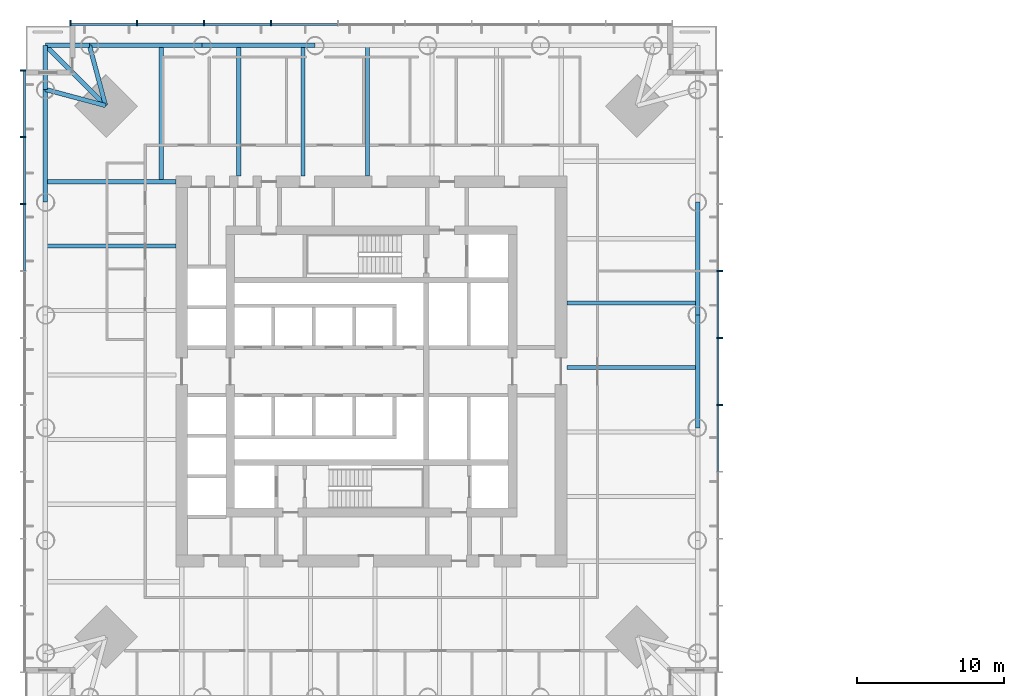
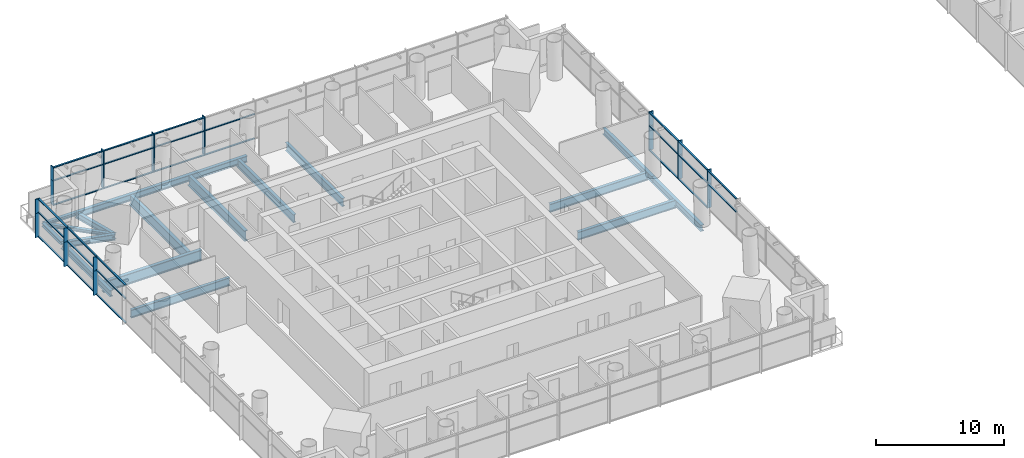
# One storey, part 4 of 24: 48 members, 18 beams, 6 elements without a shape of their own.
"""IFC4 building model written with IfcOpenShell, lengths in metres."""

from ifc_helpers import new_model, si_unit, direction, frame, origin, origin_2d, place, context, subcontext, project, spatial, rectangle, i_section, extrude, material, material_profile, profile_set, type_object, element, aggregate, save


model = new_model("IFC4")

# Units and contexts
model_context = context("Model", 3, precision=1e-05, world=origin(), true_north=direction((0.0, 1.0)))
body_context = subcontext(model_context, "Body", "Model", "MODEL_VIEW")
ifc_project = project(units=[si_unit("LENGTHUNIT", "METRE"), si_unit("AREAUNIT", "SQUARE_METRE"), si_unit("VOLUMEUNIT", "CUBIC_METRE"), si_unit("PLANEANGLEUNIT", "RADIAN"), si_unit("MASSUNIT", "GRAM", prefix="KILO")], contexts=[model_context])

# Site, building, storey
site_placement = place(None, origin())
site = spatial("IfcSite", under=ifc_project, at=site_placement, CompositionType="ELEMENT")
building_placement = place(site_placement, origin())
building = spatial("IfcBuilding", under=site, at=building_placement, Name="Ostroluk Exchange", CompositionType="ELEMENT")
storey_placement = place(building_placement, frame((0.0, 0.0, 78.0)))
storey = spatial("IfcBuildingStorey", under=building, at=storey_placement, Name="L19", CompositionType="ELEMENT", Elevation=78.0)

# Beams
ifc_material_1 = material(Name="Steel S355", Category="steel")
ifc_material_profile_1 = material_profile(ifc_material_1, i_section(OverallWidth=0.300048828125, OverallDepth=0.300048828125, WebThickness=0.010986328125, FlangeThickness=0.01904296875, FilletRadius=0.027099609375, at=origin_2d()), Name="HEB 300")
ifc_profile_set_1 = profile_set([ifc_material_profile_1], Name="Steel S355")
beam_type_1 = type_object("IfcBeamType", Name="Balcony beam HEB 300", PredefinedType="BEAM", material=ifc_profile_set_1)
for number, where, z_axis, x_axis, name in (
    (1, (25.821533203125, 68.178466796875, -0.330078125), (-1.0, 0.0, 0.0), (0.0, -1.0, 0.0), "T1 north balcony beam a"),
    (2, (22.821533203125, 65.178466796875, -0.330078125), (0.0, 1.0, 0.0), (-1.0, 0.0, 0.0), "T1 north balcony beam b"),
):
    element("IfcBeam", number, at=place(storey_placement, frame(where, z_axis=z_axis, x_axis=x_axis)), inside=storey, type_object=beam_type_1, Name=name, PredefinedType="BEAM", context=body_context, shape_type="SweptSolid", body=[
        extrude(i_section(OverallWidth=0.300048828125, OverallDepth=0.300048828125, WebThickness=0.010986328125, FlangeThickness=0.01904296875, FilletRadius=0.027099609375, at=origin_2d()), origin(), (0.0, 0.0, 1.0), 3.0),
    ])
beam_1_placement = place(storey_placement, frame((26.92138671875, 64.07861328125, -0.330078125), z_axis=(-0.707106781187, 0.707106781187, 0.0), x_axis=(-0.707106781187, -0.707106781187, 0.0)))
element("IfcBeam", 3, at=beam_1_placement, inside=storey, type_object=beam_type_1, Name="T1 north balcony beam c", PredefinedType="BEAM", context=body_context, shape_type="SweptSolid", body=[
    extrude(i_section(OverallWidth=0.300048828125, OverallDepth=0.300048828125, WebThickness=0.010986328125, FlangeThickness=0.01904296875, FilletRadius=0.027099609375, at=origin_2d()), origin(), (0.0, 0.0, 1.0), 5.798095703125),
])
ifc_material_2 = material(Name="Steel S355", Category="steel")
ifc_material_profile_2 = material_profile(ifc_material_2, i_section(OverallWidth=0.300048828125, OverallDepth=0.550048828125, WebThickness=0.014892578125, FlangeThickness=0.029052734375, FilletRadius=0.027099609375, at=origin_2d()), Name="HEB 550")
ifc_profile_set_2 = profile_set([ifc_material_profile_2], Name="Steel S355")
beam_type_2 = type_object("IfcBeamType", Name="Corner edge beam HEB 550", PredefinedType="SPANDREL", material=ifc_profile_set_2)
for number, where, z_axis, x_axis, name in (
    (4, (26.92138671875, 64.07861328125, -0.455078125), (-0.259105011038, 0.965849156574, 0.0), (-0.965849156574, -0.259105011038, 0.0), "T1 north corner edge beam a"),
    (5, (26.92138671875, 64.07861328125, -0.455078125), (-0.965849156574, 0.259105011038, 0.0), (-0.259105011038, -0.965849156574, 0.0), "T1 north corner edge beam b"),
):
    element("IfcBeam", number, at=place(storey_placement, frame(where, z_axis=z_axis, x_axis=x_axis)), inside=storey, type_object=beam_type_2, Name=name, PredefinedType="SPANDREL", context=body_context, shape_type="SweptSolid", body=[
        extrude(i_section(OverallWidth=0.300048828125, OverallDepth=0.550048828125, WebThickness=0.014892578125, FlangeThickness=0.029052734375, FilletRadius=0.027099609375, at=origin_2d()), origin(), (0.0, 0.0, 1.0), 4.244873046875),
    ])
ifc_material_3 = material(Name="Steel S355", Category="steel")
ifc_material_profile_3 = material_profile(ifc_material_3, i_section(OverallWidth=0.302001953125, OverallDepth=1.008056640625, WebThickness=0.02099609375, FlangeThickness=0.0400390625, FilletRadius=0.030029296875, at=origin_2d()), Name="HEM 1000")
ifc_profile_set_3 = profile_set([ifc_material_profile_3], Name="Steel S355")
beam_type_3 = type_object("IfcBeamType", Name="Floor beam HEM 1000", PredefinedType="BEAM", material=ifc_profile_set_3)
beam_2_placement = place(storey_placement, frame((35.975830078125, 59.300048828125, -0.68408203125), z_axis=(0.0, 1.0, 0.0), x_axis=(-1.0, 0.0, 0.0)))
element("IfcBeam", 6, at=beam_2_placement, inside=storey, type_object=beam_type_3, Name="T1 north floor beam 5", PredefinedType="BEAM", context=body_context, shape_type="SweptSolid", body=[
    extrude(i_section(OverallWidth=0.302001953125, OverallDepth=1.008056640625, WebThickness=0.02099609375, FlangeThickness=0.0400390625, FilletRadius=0.030029296875, at=origin_2d()), origin(), (0.0, 0.0, 1.0), 8.87841796875),
])
beam_3_placement = place(storey_placement, frame((30.699951171875, 58.89990234375, -0.68408203125), z_axis=(0.0, 1.0, 0.0), x_axis=(-1.0, 0.0, 0.0)))
element("IfcBeam", 7, at=beam_3_placement, inside=storey, type_object=beam_type_3, Name="T1 north floor beam 6", PredefinedType="BEAM", context=body_context, shape_type="SweptSolid", body=[
    extrude(i_section(OverallWidth=0.302001953125, OverallDepth=1.008056640625, WebThickness=0.02099609375, FlangeThickness=0.0400390625, FilletRadius=0.030029296875, at=origin_2d()), origin(), (0.0, 0.0, 1.0), 9.278564453125),
])
ifc_material_4 = material(Name="Steel S355", Category="steel")
ifc_material_profile_4 = material_profile(ifc_material_4, i_section(OverallWidth=0.26806640625, OverallDepth=0.77001953125, WebThickness=0.015625, FlangeThickness=0.025390625, FilletRadius=0.01708984375, at=origin_2d()), Name="IPE 750x196")
ifc_profile_set_4 = profile_set([ifc_material_profile_4], Name="Steel S355")
beam_type_4 = type_object("IfcBeamType", Name="Floor beam IPE 750x196", PredefinedType="BEAM", material=ifc_profile_set_4)
for number, where, z_axis, x_axis, name in (
    (8, (58.300048828125, 46.25439453125, -0.56494140625), (1.0, 0.0, 0.0), (0.0, 1.0, 0.0), "T1 east floor beam 3"),
    (9, (58.300048828125, 50.639404296875, -0.56494140625), (1.0, 0.0, 0.0), (0.0, 1.0, 0.0), "T1 east floor beam 4"),
    (10, (44.74560546875, 59.300048828125, -0.56494140625), (0.0, 1.0, 0.0), (-1.0, 0.0, 0.0), "T1 north floor beam 3"),
    (11, (40.360595703125, 59.300048828125, -0.56494140625), (0.0, 1.0, 0.0), (-1.0, 0.0, 0.0), "T1 north floor beam 4"),
    (12, (31.699951171875, 54.51513671875, -0.56494140625), (-1.0, 0.0, 0.0), (0.0, -1.0, 0.0), "T1 west floor beam 1"),
):
    element("IfcBeam", number, at=place(storey_placement, frame(where, z_axis=z_axis, x_axis=x_axis)), inside=storey, type_object=beam_type_4, Name=name, PredefinedType="BEAM", context=body_context, shape_type="SweptSolid", body=[
        extrude(i_section(OverallWidth=0.26806640625, OverallDepth=0.77001953125, WebThickness=0.015625, FlangeThickness=0.025390625, FilletRadius=0.01708984375, at=origin_2d()), origin(), (0.0, 0.0, 1.0), 8.87841796875),
    ])
ifc_material_5 = material(Name="Steel S355", Category="steel")
ifc_material_profile_5 = material_profile(ifc_material_5, i_section(OverallWidth=0.302001953125, OverallDepth=1.008056640625, WebThickness=0.02099609375, FlangeThickness=0.0400390625, FilletRadius=0.030029296875, at=origin_2d()), Name="HEM 1000")
ifc_profile_set_5 = profile_set([ifc_material_profile_5], Name="Steel S355")
beam_type_5 = type_object("IfcBeamType", Name="Girder HEM 1000", PredefinedType="BEAM", material=ifc_profile_set_5)
beam_4_placement = place(storey_placement, frame((31.699951171875, 58.89990234375, -0.68408203125), z_axis=(-1.0, 0.0, 0.0), x_axis=(0.0, -1.0, 0.0)))
element("IfcBeam", 13, at=beam_4_placement, inside=storey, type_object=beam_type_5, Name="T1 north girder", PredefinedType="BEAM", context=body_context, shape_type="SweptSolid", body=[
    extrude(i_section(OverallWidth=0.302001953125, OverallDepth=1.008056640625, WebThickness=0.02099609375, FlangeThickness=0.0400390625, FilletRadius=0.030029296875, at=origin_2d()), origin(), (0.0, 0.0, 1.0), 8.87841796875),
])
ifc_material_6 = material(Name="Steel S355", Category="steel")
ifc_material_profile_6 = material_profile(ifc_material_6, i_section(OverallWidth=0.300048828125, OverallDepth=0.60009765625, WebThickness=0.015380859375, FlangeThickness=0.030029296875, FilletRadius=0.027099609375, at=origin_2d()), Name="HEB 600")
ifc_profile_set_6 = profile_set([ifc_material_profile_6], Name="Steel S355")
beam_type_6 = type_object("IfcBeamType", Name="Moment-connected edge beam HEB 600", PredefinedType="SPANDREL", material=ifc_profile_set_6)
for number, where, z_axis, x_axis, name in (
    (14, (67.178466796875, 42.164306640625, -0.47998046875), (0.0, 1.0, 0.0), (-1.0, 0.0, 0.0), "T1 east edge beam 3"),
    (15, (67.178466796875, 49.835693359375, -0.47998046875), (0.0, 1.0, 0.0), (-1.0, 0.0, 0.0), "T1 east edge beam 4"),
    (16, (41.164306640625, 68.178466796875, -0.47998046875), (-1.0, 0.0, 0.0), (0.0, -1.0, 0.0), "T1 north edge beam 4"),
    (17, (33.492919921875, 68.178466796875, -0.47998046875), (-1.0, 0.0, 0.0), (0.0, -1.0, 0.0), "T1 north edge beam 5"),
    (18, (22.821533203125, 65.178466796875, -0.47998046875), (0.0, -1.0, 0.0), (1.0, 0.0, 0.0), "T1 west edge beam 1"),
):
    element("IfcBeam", number, at=place(storey_placement, frame(where, z_axis=z_axis, x_axis=x_axis)), inside=storey, type_object=beam_type_6, Name=name, PredefinedType="SPANDREL", context=body_context, shape_type="SweptSolid", body=[
        extrude(i_section(OverallWidth=0.300048828125, OverallDepth=0.60009765625, WebThickness=0.015380859375, FlangeThickness=0.030029296875, FilletRadius=0.027099609375, at=origin_2d()), origin(), (0.0, 0.0, 1.0), 7.67138671875),
    ])

# Curtain wall, members
ifc_material_7 = material(Name="Laminated clear glass", Category="glass")
curtain_wall_type = type_object("IfcCurtainWallType", Name="Office tower facade", PredefinedType="USERDEFINED", material=ifc_material_7)
curtain_wall_1_placement = place(storey_placement, origin())
curtain_wall_1 = element("IfcCurtainWall", 19, at=curtain_wall_1_placement, inside=storey, type_object=curtain_wall_type, Name="Office tower east facade L19", ObjectType="UNITISED CURTAIN WALL", PredefinedType="USERDEFINED")
ifc_material_8 = material(Name="Aluminium mullion", Category="aluminium")
ifc_material_profile_7 = material_profile(ifc_material_8, rectangle(XDim=0.14990234375, YDim=0.080078125, at=origin_2d()), Name="Sill transom 80 x 150")
ifc_profile_set_7 = profile_set([ifc_material_profile_7], Name="Aluminium mullion")
member_type_1 = type_object("IfcMemberType", Name="Sill transom 80 x 150", PredefinedType="USERDEFINED", material=ifc_profile_set_7)
member_1_placement = place(storey_placement, frame((68.574951171875, 43.76220703125, 0.0400390625), z_axis=(0.0, 1.0, 0.0), x_axis=(-1.0, 0.0, 0.0)))
member_1 = element("IfcMember", 20, at=member_1_placement, type_object=member_type_1, Name="CW-O1 transom 5.1", ObjectType="TRANSOM", PredefinedType="USERDEFINED", context=body_context, shape_type="SweptSolid", body=[
    extrude(rectangle(XDim=0.14990234375, YDim=0.080078125, at=origin_2d()), origin(), (0.0, 0.0, 1.0), 4.4755859375),
])
member_2_placement = place(storey_placement, frame((68.574951171875, 48.31787109375, 0.0400390625), z_axis=(0.0, 1.0, 0.0), x_axis=(-1.0, 0.0, 0.0)))
member_2 = element("IfcMember", 21, at=member_2_placement, type_object=member_type_1, Name="CW-O1 transom 6.1", ObjectType="TRANSOM", PredefinedType="USERDEFINED", context=body_context, shape_type="SweptSolid", body=[
    extrude(rectangle(XDim=0.14990234375, YDim=0.080078125, at=origin_2d()), origin(), (0.0, 0.0, 1.0), 4.475341796875),
])

curtain_wall_2_placement = place(storey_placement, origin())
curtain_wall_2 = element("IfcCurtainWall", 22, at=curtain_wall_2_placement, inside=storey, type_object=curtain_wall_type, Name="Office tower east spandrel L19", ObjectType="UNITISED CURTAIN WALL", PredefinedType="USERDEFINED")
member_3_placement = place(storey_placement, frame((68.574951171875, 39.206787109375, 2.353515625), z_axis=(0.0, 1.0, 0.0), x_axis=(-1.0, 0.0, 0.0)))
member_3 = element("IfcMember", 23, at=member_3_placement, type_object=member_type_1, Name="CW-O1 transom 4.1", ObjectType="TRANSOM", PredefinedType="USERDEFINED", context=body_context, shape_type="SweptSolid", body=[
    extrude(rectangle(XDim=0.14990234375, YDim=0.080078125, at=origin_2d()), origin(), (0.0, 0.0, 1.0), 4.475341796875),
])
member_4_placement = place(storey_placement, frame((68.574951171875, 39.206787109375, 3.610107421875), z_axis=(0.0, 1.0, 0.0), x_axis=(-1.0, 0.0, 0.0)))
member_4 = element("IfcMember", 24, at=member_4_placement, type_object=member_type_1, Name="CW-O1 transom 4.2", ObjectType="TRANSOM", PredefinedType="USERDEFINED", context=body_context, shape_type="SweptSolid", body=[
    extrude(rectangle(XDim=0.14990234375, YDim=0.080078125, at=origin_2d()), origin(), (0.0, 0.0, 1.0), 4.475341796875),
])
member_5_placement = place(storey_placement, frame((68.574951171875, 43.76220703125, 2.353515625), z_axis=(0.0, 1.0, 0.0), x_axis=(-1.0, 0.0, 0.0)))
member_5 = element("IfcMember", 25, at=member_5_placement, type_object=member_type_1, Name="CW-O1 transom 5.1", ObjectType="TRANSOM", PredefinedType="USERDEFINED", context=body_context, shape_type="SweptSolid", body=[
    extrude(rectangle(XDim=0.14990234375, YDim=0.080078125, at=origin_2d()), origin(), (0.0, 0.0, 1.0), 4.4755859375),
])
member_6_placement = place(storey_placement, frame((68.574951171875, 43.76220703125, 3.610107421875), z_axis=(0.0, 1.0, 0.0), x_axis=(-1.0, 0.0, 0.0)))
member_6 = element("IfcMember", 26, at=member_6_placement, type_object=member_type_1, Name="CW-O1 transom 5.2", ObjectType="TRANSOM", PredefinedType="USERDEFINED", context=body_context, shape_type="SweptSolid", body=[
    extrude(rectangle(XDim=0.14990234375, YDim=0.080078125, at=origin_2d()), origin(), (0.0, 0.0, 1.0), 4.4755859375),
])
member_7_placement = place(storey_placement, frame((68.574951171875, 48.31787109375, 2.353515625), z_axis=(0.0, 1.0, 0.0), x_axis=(-1.0, 0.0, 0.0)))
member_7 = element("IfcMember", 27, at=member_7_placement, type_object=member_type_1, Name="CW-O1 transom 6.1", ObjectType="TRANSOM", PredefinedType="USERDEFINED", context=body_context, shape_type="SweptSolid", body=[
    extrude(rectangle(XDim=0.14990234375, YDim=0.080078125, at=origin_2d()), origin(), (0.0, 0.0, 1.0), 4.475341796875),
])
member_8_placement = place(storey_placement, frame((68.574951171875, 48.31787109375, 3.610107421875), z_axis=(0.0, 1.0, 0.0), x_axis=(-1.0, 0.0, 0.0)))
member_8 = element("IfcMember", 28, at=member_8_placement, type_object=member_type_1, Name="CW-O1 transom 6.2", ObjectType="TRANSOM", PredefinedType="USERDEFINED", context=body_context, shape_type="SweptSolid", body=[
    extrude(rectangle(XDim=0.14990234375, YDim=0.080078125, at=origin_2d()), origin(), (0.0, 0.0, 1.0), 4.475341796875),
])

curtain_wall_3_placement = place(storey_placement, origin())
curtain_wall_3 = element("IfcCurtainWall", 29, at=curtain_wall_3_placement, inside=storey, type_object=curtain_wall_type, Name="Office tower north facade L19", ObjectType="UNITISED CURTAIN WALL", PredefinedType="USERDEFINED")
member_9_placement = place(storey_placement, frame((42.68212890625, 69.574951171875, 0.0400390625), z_axis=(-1.0, 0.0, 0.0), x_axis=(0.0, -1.0, 0.0)))
member_9 = element("IfcMember", 30, at=member_9_placement, type_object=member_type_1, Name="CW-O1 transom 6.1", ObjectType="TRANSOM", PredefinedType="USERDEFINED", context=body_context, shape_type="SweptSolid", body=[
    extrude(rectangle(XDim=0.14990234375, YDim=0.080078125, at=origin_2d()), origin(), (0.0, 0.0, 1.0), 4.475341796875),
])
member_10_placement = place(storey_placement, frame((38.126708984375, 69.574951171875, 0.0400390625), z_axis=(-1.0, 0.0, 0.0), x_axis=(0.0, -1.0, 0.0)))
member_10 = element("IfcMember", 31, at=member_10_placement, type_object=member_type_1, Name="CW-O1 transom 7.1", ObjectType="TRANSOM", PredefinedType="USERDEFINED", context=body_context, shape_type="SweptSolid", body=[
    extrude(rectangle(XDim=0.14990234375, YDim=0.080078125, at=origin_2d()), origin(), (0.0, 0.0, 1.0), 4.4755859375),
])
member_11_placement = place(storey_placement, frame((33.571044921875, 69.574951171875, 0.0400390625), z_axis=(-1.0, 0.0, 0.0), x_axis=(0.0, -1.0, 0.0)))
member_11 = element("IfcMember", 32, at=member_11_placement, type_object=member_type_1, Name="CW-O1 transom 8.1", ObjectType="TRANSOM", PredefinedType="USERDEFINED", context=body_context, shape_type="SweptSolid", body=[
    extrude(rectangle(XDim=0.14990234375, YDim=0.080078125, at=origin_2d()), origin(), (0.0, 0.0, 1.0), 4.4755859375),
])
member_12_placement = place(storey_placement, frame((29.015625, 69.574951171875, 0.0400390625), z_axis=(-1.0, 0.0, 0.0), x_axis=(0.0, -1.0, 0.0)))
member_12 = element("IfcMember", 33, at=member_12_placement, type_object=member_type_1, Name="CW-O1 transom 9.1", ObjectType="TRANSOM", PredefinedType="USERDEFINED", context=body_context, shape_type="SweptSolid", body=[
    extrude(rectangle(XDim=0.14990234375, YDim=0.080078125, at=origin_2d()), origin(), (0.0, 0.0, 1.0), 4.435546875),
])

curtain_wall_4_placement = place(storey_placement, origin())
curtain_wall_4 = element("IfcCurtainWall", 34, at=curtain_wall_4_placement, inside=storey, type_object=curtain_wall_type, Name="Office tower north spandrel L19", ObjectType="UNITISED CURTAIN WALL", PredefinedType="USERDEFINED")
member_13_placement = place(storey_placement, frame((42.68212890625, 69.574951171875, 2.353515625), z_axis=(-1.0, 0.0, 0.0), x_axis=(0.0, -1.0, 0.0)))
member_13 = element("IfcMember", 35, at=member_13_placement, type_object=member_type_1, Name="CW-O1 transom 6.1", ObjectType="TRANSOM", PredefinedType="USERDEFINED", context=body_context, shape_type="SweptSolid", body=[
    extrude(rectangle(XDim=0.14990234375, YDim=0.080078125, at=origin_2d()), origin(), (0.0, 0.0, 1.0), 4.475341796875),
])
member_14_placement = place(storey_placement, frame((38.126708984375, 69.574951171875, 2.353515625), z_axis=(-1.0, 0.0, 0.0), x_axis=(0.0, -1.0, 0.0)))
member_14 = element("IfcMember", 36, at=member_14_placement, type_object=member_type_1, Name="CW-O1 transom 7.1", ObjectType="TRANSOM", PredefinedType="USERDEFINED", context=body_context, shape_type="SweptSolid", body=[
    extrude(rectangle(XDim=0.14990234375, YDim=0.080078125, at=origin_2d()), origin(), (0.0, 0.0, 1.0), 4.4755859375),
])
member_15_placement = place(storey_placement, frame((38.126708984375, 69.574951171875, 3.610107421875), z_axis=(-1.0, 0.0, 0.0), x_axis=(0.0, -1.0, 0.0)))
member_15 = element("IfcMember", 37, at=member_15_placement, type_object=member_type_1, Name="CW-O1 transom 7.2", ObjectType="TRANSOM", PredefinedType="USERDEFINED", context=body_context, shape_type="SweptSolid", body=[
    extrude(rectangle(XDim=0.14990234375, YDim=0.080078125, at=origin_2d()), origin(), (0.0, 0.0, 1.0), 4.4755859375),
])
member_16_placement = place(storey_placement, frame((33.571044921875, 69.574951171875, 2.353515625), z_axis=(-1.0, 0.0, 0.0), x_axis=(0.0, -1.0, 0.0)))
member_16 = element("IfcMember", 38, at=member_16_placement, type_object=member_type_1, Name="CW-O1 transom 8.1", ObjectType="TRANSOM", PredefinedType="USERDEFINED", context=body_context, shape_type="SweptSolid", body=[
    extrude(rectangle(XDim=0.14990234375, YDim=0.080078125, at=origin_2d()), origin(), (0.0, 0.0, 1.0), 4.4755859375),
])
member_17_placement = place(storey_placement, frame((33.571044921875, 69.574951171875, 3.610107421875), z_axis=(-1.0, 0.0, 0.0), x_axis=(0.0, -1.0, 0.0)))
member_17 = element("IfcMember", 39, at=member_17_placement, type_object=member_type_1, Name="CW-O1 transom 8.2", ObjectType="TRANSOM", PredefinedType="USERDEFINED", context=body_context, shape_type="SweptSolid", body=[
    extrude(rectangle(XDim=0.14990234375, YDim=0.080078125, at=origin_2d()), origin(), (0.0, 0.0, 1.0), 4.4755859375),
])
member_18_placement = place(storey_placement, frame((29.015625, 69.574951171875, 2.353515625), z_axis=(-1.0, 0.0, 0.0), x_axis=(0.0, -1.0, 0.0)))
member_18 = element("IfcMember", 40, at=member_18_placement, type_object=member_type_1, Name="CW-O1 transom 9.1", ObjectType="TRANSOM", PredefinedType="USERDEFINED", context=body_context, shape_type="SweptSolid", body=[
    extrude(rectangle(XDim=0.14990234375, YDim=0.080078125, at=origin_2d()), origin(), (0.0, 0.0, 1.0), 4.435546875),
])
member_19_placement = place(storey_placement, frame((29.015625, 69.574951171875, 3.610107421875), z_axis=(-1.0, 0.0, 0.0), x_axis=(0.0, -1.0, 0.0)))
member_19 = element("IfcMember", 41, at=member_19_placement, type_object=member_type_1, Name="CW-O1 transom 9.2", ObjectType="TRANSOM", PredefinedType="USERDEFINED", context=body_context, shape_type="SweptSolid", body=[
    extrude(rectangle(XDim=0.14990234375, YDim=0.080078125, at=origin_2d()), origin(), (0.0, 0.0, 1.0), 4.435546875),
])

curtain_wall_5_placement = place(storey_placement, origin())
curtain_wall_5 = element("IfcCurtainWall", 42, at=curtain_wall_5_placement, inside=storey, type_object=curtain_wall_type, Name="Office tower west facade L19", ObjectType="UNITISED CURTAIN WALL", PredefinedType="USERDEFINED")
member_20_placement = place(storey_placement, frame((21.425048828125, 66.419921875, 0.0400390625), z_axis=(0.0, -1.0, 0.0), x_axis=(1.0, 0.0, 0.0)))
member_20 = element("IfcMember", 43, at=member_20_placement, type_object=member_type_1, Name="CW-O1 transom 1.1", ObjectType="TRANSOM", PredefinedType="USERDEFINED", context=body_context, shape_type="SweptSolid", body=[
    extrude(rectangle(XDim=0.14990234375, YDim=0.080078125, at=origin_2d()), origin(), (0.0, 0.0, 1.0), 4.435546875),
])
member_21_placement = place(storey_placement, frame((21.425048828125, 61.904541015625, 0.0400390625), z_axis=(0.0, -1.0, 0.0), x_axis=(1.0, 0.0, 0.0)))
member_21 = element("IfcMember", 44, at=member_21_placement, type_object=member_type_1, Name="CW-O1 transom 2.1", ObjectType="TRANSOM", PredefinedType="USERDEFINED", context=body_context, shape_type="SweptSolid", body=[
    extrude(rectangle(XDim=0.14990234375, YDim=0.080078125, at=origin_2d()), origin(), (0.0, 0.0, 1.0), 4.4755859375),
])
member_22_placement = place(storey_placement, frame((21.425048828125, 57.348876953125, 0.0400390625), z_axis=(0.0, -1.0, 0.0), x_axis=(1.0, 0.0, 0.0)))
member_22 = element("IfcMember", 45, at=member_22_placement, type_object=member_type_1, Name="CW-O1 transom 3.1", ObjectType="TRANSOM", PredefinedType="USERDEFINED", context=body_context, shape_type="SweptSolid", body=[
    extrude(rectangle(XDim=0.14990234375, YDim=0.080078125, at=origin_2d()), origin(), (0.0, 0.0, 1.0), 4.4755859375),
])

curtain_wall_6_placement = place(storey_placement, origin())
curtain_wall_6 = element("IfcCurtainWall", 46, at=curtain_wall_6_placement, inside=storey, type_object=curtain_wall_type, Name="Office tower west spandrel L19", ObjectType="UNITISED CURTAIN WALL", PredefinedType="USERDEFINED")
member_23_placement = place(storey_placement, frame((21.425048828125, 66.419921875, 2.353515625), z_axis=(0.0, -1.0, 0.0), x_axis=(1.0, 0.0, 0.0)))
member_23 = element("IfcMember", 47, at=member_23_placement, type_object=member_type_1, Name="CW-O1 transom 1.1", ObjectType="TRANSOM", PredefinedType="USERDEFINED", context=body_context, shape_type="SweptSolid", body=[
    extrude(rectangle(XDim=0.14990234375, YDim=0.080078125, at=origin_2d()), origin(), (0.0, 0.0, 1.0), 4.435546875),
])
member_24_placement = place(storey_placement, frame((21.425048828125, 66.419921875, 3.610107421875), z_axis=(0.0, -1.0, 0.0), x_axis=(1.0, 0.0, 0.0)))
member_24 = element("IfcMember", 48, at=member_24_placement, type_object=member_type_1, Name="CW-O1 transom 1.2", ObjectType="TRANSOM", PredefinedType="USERDEFINED", context=body_context, shape_type="SweptSolid", body=[
    extrude(rectangle(XDim=0.14990234375, YDim=0.080078125, at=origin_2d()), origin(), (0.0, 0.0, 1.0), 4.435546875),
])
member_25_placement = place(storey_placement, frame((21.425048828125, 61.904541015625, 2.353515625), z_axis=(0.0, -1.0, 0.0), x_axis=(1.0, 0.0, 0.0)))
member_25 = element("IfcMember", 49, at=member_25_placement, type_object=member_type_1, Name="CW-O1 transom 2.1", ObjectType="TRANSOM", PredefinedType="USERDEFINED", context=body_context, shape_type="SweptSolid", body=[
    extrude(rectangle(XDim=0.14990234375, YDim=0.080078125, at=origin_2d()), origin(), (0.0, 0.0, 1.0), 4.4755859375),
])
member_26_placement = place(storey_placement, frame((21.425048828125, 61.904541015625, 3.610107421875), z_axis=(0.0, -1.0, 0.0), x_axis=(1.0, 0.0, 0.0)))
member_26 = element("IfcMember", 50, at=member_26_placement, type_object=member_type_1, Name="CW-O1 transom 2.2", ObjectType="TRANSOM", PredefinedType="USERDEFINED", context=body_context, shape_type="SweptSolid", body=[
    extrude(rectangle(XDim=0.14990234375, YDim=0.080078125, at=origin_2d()), origin(), (0.0, 0.0, 1.0), 4.4755859375),
])
member_27_placement = place(storey_placement, frame((21.425048828125, 57.348876953125, 2.353515625), z_axis=(0.0, -1.0, 0.0), x_axis=(1.0, 0.0, 0.0)))
member_27 = element("IfcMember", 51, at=member_27_placement, type_object=member_type_1, Name="CW-O1 transom 3.1", ObjectType="TRANSOM", PredefinedType="USERDEFINED", context=body_context, shape_type="SweptSolid", body=[
    extrude(rectangle(XDim=0.14990234375, YDim=0.080078125, at=origin_2d()), origin(), (0.0, 0.0, 1.0), 4.4755859375),
])
member_28_placement = place(storey_placement, frame((21.425048828125, 57.348876953125, 3.610107421875), z_axis=(0.0, -1.0, 0.0), x_axis=(1.0, 0.0, 0.0)))
member_28 = element("IfcMember", 52, at=member_28_placement, type_object=member_type_1, Name="CW-O1 transom 3.2", ObjectType="TRANSOM", PredefinedType="USERDEFINED", context=body_context, shape_type="SweptSolid", body=[
    extrude(rectangle(XDim=0.14990234375, YDim=0.080078125, at=origin_2d()), origin(), (0.0, 0.0, 1.0), 4.4755859375),
])

# Member
ifc_material_9 = material(Name="Aluminium mullion with limestone facing", Category="masonry")
ifc_material_profile_8 = material_profile(ifc_material_9, rectangle(XDim=0.39990234375, YDim=0.080078125, at=origin_2d()), Name="Tracery mullion 80 x 400")
ifc_profile_set_8 = profile_set([ifc_material_profile_8], Name="Aluminium mullion with limestone facing")
member_type_2 = type_object("IfcMemberType", Name="Tracery mullion 80 x 400", PredefinedType="MULLION", material=ifc_profile_set_8)
member_29_placement = place(storey_placement, frame((68.699951171875, 43.72216796875, 0.0), z_axis=(0.0, 0.0, 1.0), x_axis=(-1.0, 0.0, 0.0)))
member_29 = element("IfcMember", 53, at=member_29_placement, type_object=member_type_2, Name="CW-O1 mullion 5", PredefinedType="MULLION", context=body_context, shape_type="SweptSolid", body=[
    extrude(rectangle(XDim=0.39990234375, YDim=0.080078125, at=origin_2d()), origin(), (0.0, 0.0, 1.0), 2.3134765625),
])

member_30_placement = place(storey_placement, frame((68.699951171875, 48.27783203125, 0.0), z_axis=(0.0, 0.0, 1.0), x_axis=(-1.0, 0.0, 0.0)))
member_30 = element("IfcMember", 54, at=member_30_placement, type_object=member_type_2, Name="CW-O1 mullion 6", PredefinedType="MULLION", context=body_context, shape_type="SweptSolid", body=[
    extrude(rectangle(XDim=0.39990234375, YDim=0.080078125, at=origin_2d()), origin(), (0.0, 0.0, 1.0), 2.3134765625),
])

member_31_placement = place(storey_placement, frame((68.699951171875, 52.833251953125, 0.0), z_axis=(0.0, 0.0, 1.0), x_axis=(-1.0, 0.0, 0.0)))
member_31 = element("IfcMember", 55, at=member_31_placement, type_object=member_type_2, Name="CW-O1 mullion 7", PredefinedType="MULLION", context=body_context, shape_type="SweptSolid", body=[
    extrude(rectangle(XDim=0.39990234375, YDim=0.080078125, at=origin_2d()), origin(), (0.0, 0.0, 1.0), 2.3134765625),
])

aggregate(curtain_wall_1, [member_29, member_30, member_31, member_1, member_2])

member_32_placement = place(storey_placement, frame((68.699951171875, 43.72216796875, 2.3134765625), z_axis=(0.0, 0.0, 1.0), x_axis=(-1.0, 0.0, 0.0)))
member_32 = element("IfcMember", 56, at=member_32_placement, type_object=member_type_2, Name="CW-O1 mullion 5", PredefinedType="MULLION", context=body_context, shape_type="SweptSolid", body=[
    extrude(rectangle(XDim=0.39990234375, YDim=0.080078125, at=origin_2d()), origin(), (0.0, 0.0, 1.0), 1.33642578125),
])

member_33_placement = place(storey_placement, frame((68.699951171875, 48.27783203125, 2.3134765625), z_axis=(0.0, 0.0, 1.0), x_axis=(-1.0, 0.0, 0.0)))
member_33 = element("IfcMember", 57, at=member_33_placement, type_object=member_type_2, Name="CW-O1 mullion 6", PredefinedType="MULLION", context=body_context, shape_type="SweptSolid", body=[
    extrude(rectangle(XDim=0.39990234375, YDim=0.080078125, at=origin_2d()), origin(), (0.0, 0.0, 1.0), 1.33642578125),
])

member_34_placement = place(storey_placement, frame((68.699951171875, 52.833251953125, 2.3134765625), z_axis=(0.0, 0.0, 1.0), x_axis=(-1.0, 0.0, 0.0)))
member_34 = element("IfcMember", 58, at=member_34_placement, type_object=member_type_2, Name="CW-O1 mullion 7", PredefinedType="MULLION", context=body_context, shape_type="SweptSolid", body=[
    extrude(rectangle(XDim=0.39990234375, YDim=0.080078125, at=origin_2d()), origin(), (0.0, 0.0, 1.0), 1.33642578125),
])

aggregate(curtain_wall_2, [member_32, member_33, member_34, member_3, member_4, member_5, member_6, member_7, member_8])

member_35_placement = place(storey_placement, frame((38.166748046875, 69.699951171875, 0.0), z_axis=(0.0, 0.0, 1.0), x_axis=(0.0, -1.0, 0.0)))
member_35 = element("IfcMember", 59, at=member_35_placement, type_object=member_type_2, Name="CW-O1 mullion 7", PredefinedType="MULLION", context=body_context, shape_type="SweptSolid", body=[
    extrude(rectangle(XDim=0.39990234375, YDim=0.080078125, at=origin_2d()), origin(), (0.0, 0.0, 1.0), 2.3134765625),
])

member_36_placement = place(storey_placement, frame((33.611083984375, 69.699951171875, 0.0), z_axis=(0.0, 0.0, 1.0), x_axis=(0.0, -1.0, 0.0)))
member_36 = element("IfcMember", 60, at=member_36_placement, type_object=member_type_2, Name="CW-O1 mullion 8", PredefinedType="MULLION", context=body_context, shape_type="SweptSolid", body=[
    extrude(rectangle(XDim=0.39990234375, YDim=0.080078125, at=origin_2d()), origin(), (0.0, 0.0, 1.0), 2.3134765625),
])

member_37_placement = place(storey_placement, frame((29.0556640625, 69.699951171875, 0.0), z_axis=(0.0, 0.0, 1.0), x_axis=(0.0, -1.0, 0.0)))
member_37 = element("IfcMember", 61, at=member_37_placement, type_object=member_type_2, Name="CW-O1 mullion 9", PredefinedType="MULLION", context=body_context, shape_type="SweptSolid", body=[
    extrude(rectangle(XDim=0.39990234375, YDim=0.080078125, at=origin_2d()), origin(), (0.0, 0.0, 1.0), 2.3134765625),
])

member_38_placement = place(storey_placement, frame((24.5400390625, 69.699951171875, 0.0), z_axis=(0.0, 0.0, 1.0), x_axis=(0.0, -1.0, 0.0)))
member_38 = element("IfcMember", 62, at=member_38_placement, type_object=member_type_2, Name="CW-O1 mullion 10", PredefinedType="MULLION", context=body_context, shape_type="SweptSolid", body=[
    extrude(rectangle(XDim=0.39990234375, YDim=0.080078125, at=origin_2d()), origin(), (0.0, 0.0, 1.0), 2.3134765625),
])

aggregate(curtain_wall_3, [member_35, member_36, member_37, member_38, member_9, member_10, member_11, member_12])

member_39_placement = place(storey_placement, frame((38.166748046875, 69.699951171875, 2.3134765625), z_axis=(0.0, 0.0, 1.0), x_axis=(0.0, -1.0, 0.0)))
member_39 = element("IfcMember", 63, at=member_39_placement, type_object=member_type_2, Name="CW-O1 mullion 7", PredefinedType="MULLION", context=body_context, shape_type="SweptSolid", body=[
    extrude(rectangle(XDim=0.39990234375, YDim=0.080078125, at=origin_2d()), origin(), (0.0, 0.0, 1.0), 1.33642578125),
])

member_40_placement = place(storey_placement, frame((33.611083984375, 69.699951171875, 2.3134765625), z_axis=(0.0, 0.0, 1.0), x_axis=(0.0, -1.0, 0.0)))
member_40 = element("IfcMember", 64, at=member_40_placement, type_object=member_type_2, Name="CW-O1 mullion 8", PredefinedType="MULLION", context=body_context, shape_type="SweptSolid", body=[
    extrude(rectangle(XDim=0.39990234375, YDim=0.080078125, at=origin_2d()), origin(), (0.0, 0.0, 1.0), 1.33642578125),
])

member_41_placement = place(storey_placement, frame((29.0556640625, 69.699951171875, 2.3134765625), z_axis=(0.0, 0.0, 1.0), x_axis=(0.0, -1.0, 0.0)))
member_41 = element("IfcMember", 65, at=member_41_placement, type_object=member_type_2, Name="CW-O1 mullion 9", PredefinedType="MULLION", context=body_context, shape_type="SweptSolid", body=[
    extrude(rectangle(XDim=0.39990234375, YDim=0.080078125, at=origin_2d()), origin(), (0.0, 0.0, 1.0), 1.33642578125),
])

member_42_placement = place(storey_placement, frame((24.5400390625, 69.699951171875, 2.3134765625), z_axis=(0.0, 0.0, 1.0), x_axis=(0.0, -1.0, 0.0)))
member_42 = element("IfcMember", 66, at=member_42_placement, type_object=member_type_2, Name="CW-O1 mullion 10", PredefinedType="MULLION", context=body_context, shape_type="SweptSolid", body=[
    extrude(rectangle(XDim=0.39990234375, YDim=0.080078125, at=origin_2d()), origin(), (0.0, 0.0, 1.0), 1.33642578125),
])

aggregate(curtain_wall_4, [member_39, member_40, member_41, member_42, member_13, member_14, member_15, member_16, member_17, member_18, member_19])

member_43_placement = place(storey_placement, frame((21.300048828125, 66.4599609375, 0.0), z_axis=(0.0, 0.0, 1.0), x_axis=(1.0, 0.0, 0.0)))
member_43 = element("IfcMember", 67, at=member_43_placement, type_object=member_type_2, Name="CW-O1 mullion 1", PredefinedType="MULLION", context=body_context, shape_type="SweptSolid", body=[
    extrude(rectangle(XDim=0.39990234375, YDim=0.080078125, at=origin_2d()), origin(), (0.0, 0.0, 1.0), 2.3134765625),
])

member_44_placement = place(storey_placement, frame((21.300048828125, 61.9443359375, 0.0), z_axis=(0.0, 0.0, 1.0), x_axis=(1.0, 0.0, 0.0)))
member_44 = element("IfcMember", 68, at=member_44_placement, type_object=member_type_2, Name="CW-O1 mullion 2", PredefinedType="MULLION", context=body_context, shape_type="SweptSolid", body=[
    extrude(rectangle(XDim=0.39990234375, YDim=0.080078125, at=origin_2d()), origin(), (0.0, 0.0, 1.0), 2.3134765625),
])

member_45_placement = place(storey_placement, frame((21.300048828125, 57.388916015625, 0.0), z_axis=(0.0, 0.0, 1.0), x_axis=(1.0, 0.0, 0.0)))
member_45 = element("IfcMember", 69, at=member_45_placement, type_object=member_type_2, Name="CW-O1 mullion 3", PredefinedType="MULLION", context=body_context, shape_type="SweptSolid", body=[
    extrude(rectangle(XDim=0.39990234375, YDim=0.080078125, at=origin_2d()), origin(), (0.0, 0.0, 1.0), 2.3134765625),
])

aggregate(curtain_wall_5, [member_43, member_44, member_45, member_20, member_21, member_22])

member_46_placement = place(storey_placement, frame((21.300048828125, 66.4599609375, 2.3134765625), z_axis=(0.0, 0.0, 1.0), x_axis=(1.0, 0.0, 0.0)))
member_46 = element("IfcMember", 70, at=member_46_placement, type_object=member_type_2, Name="CW-O1 mullion 1", PredefinedType="MULLION", context=body_context, shape_type="SweptSolid", body=[
    extrude(rectangle(XDim=0.39990234375, YDim=0.080078125, at=origin_2d()), origin(), (0.0, 0.0, 1.0), 1.33642578125),
])

member_47_placement = place(storey_placement, frame((21.300048828125, 61.9443359375, 2.3134765625), z_axis=(0.0, 0.0, 1.0), x_axis=(1.0, 0.0, 0.0)))
member_47 = element("IfcMember", 71, at=member_47_placement, type_object=member_type_2, Name="CW-O1 mullion 2", PredefinedType="MULLION", context=body_context, shape_type="SweptSolid", body=[
    extrude(rectangle(XDim=0.39990234375, YDim=0.080078125, at=origin_2d()), origin(), (0.0, 0.0, 1.0), 1.33642578125),
])

member_48_placement = place(storey_placement, frame((21.300048828125, 57.388916015625, 2.3134765625), z_axis=(0.0, 0.0, 1.0), x_axis=(1.0, 0.0, 0.0)))
member_48 = element("IfcMember", 72, at=member_48_placement, type_object=member_type_2, Name="CW-O1 mullion 3", PredefinedType="MULLION", context=body_context, shape_type="SweptSolid", body=[
    extrude(rectangle(XDim=0.39990234375, YDim=0.080078125, at=origin_2d()), origin(), (0.0, 0.0, 1.0), 1.33642578125),
])

aggregate(curtain_wall_6, [member_46, member_47, member_48, member_23, member_24, member_25, member_26, member_27, member_28])

save(model, "model.ifc")
